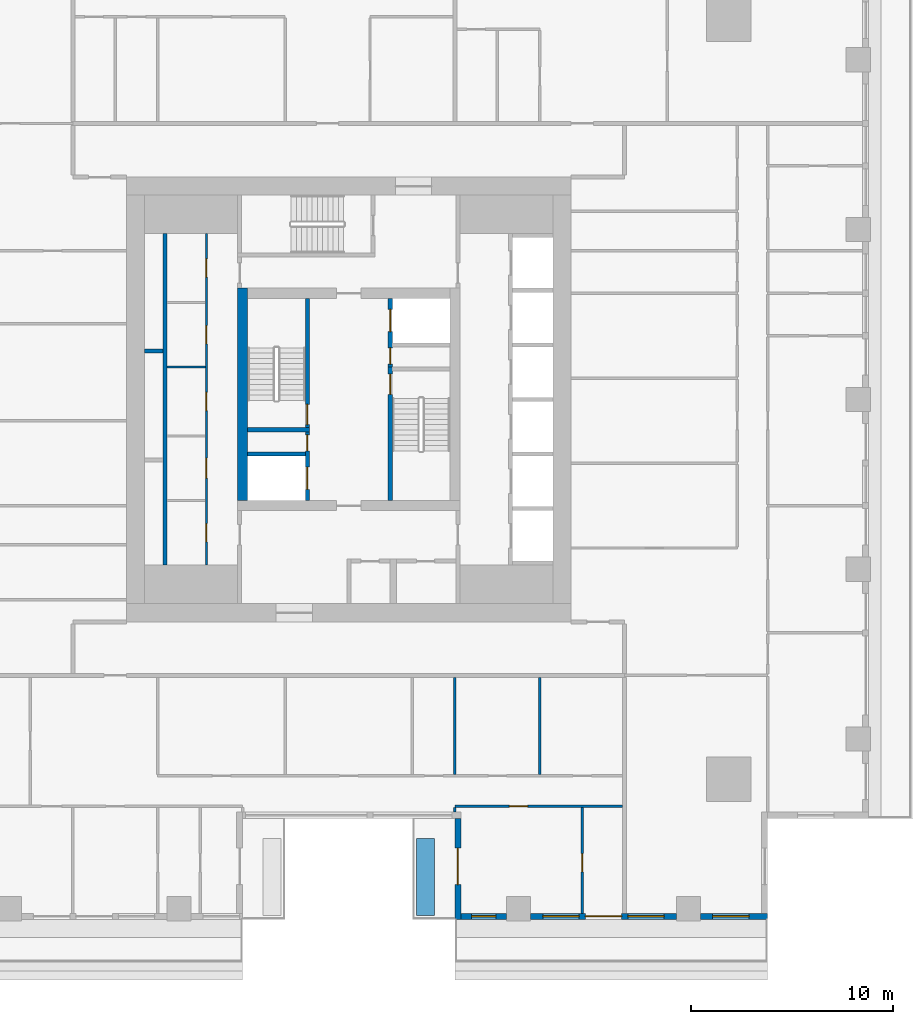
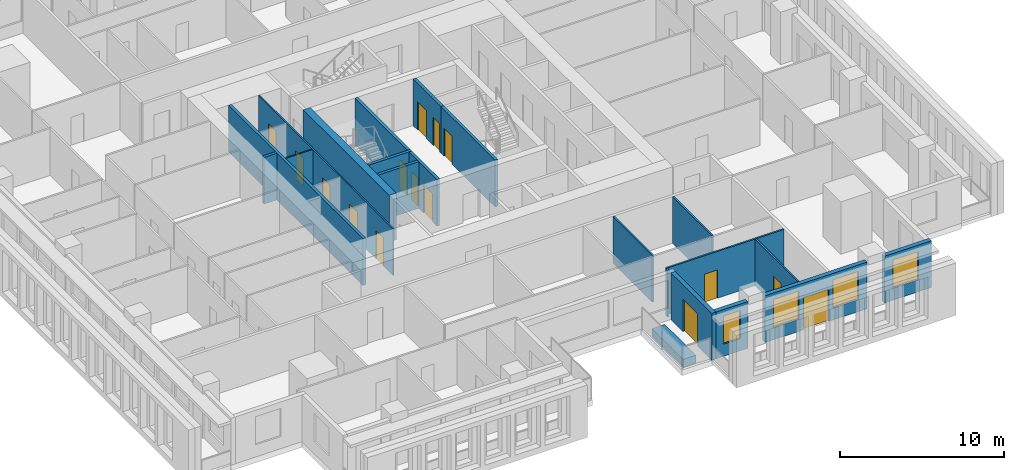
# One storey, part 4 of 15: 21 walls, 15 doors, 4 windows, 19 openings.
"""IFC4 building model written with IfcOpenShell, lengths in metres."""

import ifcopenshell
import ifcopenshell.guid

model = None  # the IFC model being written
_history = None  # IfcOwnerHistory: only IFC2X3 demands one
_inside = {}  # id of a spatial element -> (the spatial element, [elements in it])
_under = {}  # id of a project, library or spatial element -> (it, [spatial elements below it])
_declared = {}  # id of a project -> (the project, [libraries it declares])
_typed = {}  # id of a type object -> (the type object, [elements of that type])
_made_of = {}  # id of a material, layer set ... -> (it, [elements and type objects made of it])


def new_model(schema):
    """Start an empty IFC model of exactly this schema.

    Asked for "IFC4X3", IfcOpenShell would pick the latest addendum, in which some entities
    have other attributes; the version numbers below select the first issue.
    IFC2X3 requires an IfcOwnerHistory on every rooted entity: one is made here for all.
    """
    global model, _history
    if schema == "IFC4X3":
        model = ifcopenshell.file(schema_version=(4, 3, 0, 0))
    else:
        model = ifcopenshell.file(schema=schema)
    _inside.clear()
    _under.clear()
    _declared.clear()
    _typed.clear()
    _made_of.clear()
    _history = None
    if model.schema == "IFC2X3":
        org = make("IfcOrganization", Name="unknown")
        user = make(
            "IfcPersonAndOrganization",
            ThePerson=make("IfcPerson", FamilyName="unknown"),
            TheOrganization=org,
        )
        app = make(
            "IfcApplication",
            ApplicationDeveloper=org,
            Version="unknown",
            ApplicationFullName="unknown",
            ApplicationIdentifier="unknown",
        )
        _history = make(
            "IfcOwnerHistory",
            OwningUser=user,
            OwningApplication=app,
            ChangeAction="ADDED",
            CreationDate=0,
        )
    return model


def make(cls, **values):
    """One entity of the class cls with the attributes given. An attribute that is None is left unset."""
    return model.create_entity(
        cls, **{name: value for name, value in values.items() if value is not None}
    )


def rooted(cls, **values):
    """An entity with a GlobalId (a new one), such as an element, a storey or a relation."""
    return make(cls, GlobalId=ifcopenshell.guid.new(), OwnerHistory=_history, **values)


def si_unit(unit_type, name, prefix=None):
    """IfcSIUnit, for example si_unit("LENGTHUNIT", "METRE", prefix="MILLI")."""
    return make("IfcSIUnit", UnitType=unit_type, Prefix=prefix, Name=name)


def assignment(units):
    """IfcUnitAssignment: the units of a project."""
    return None if units is None else make("IfcUnitAssignment", Units=units)


def point(xyz):
    """IfcCartesianPoint."""
    return None if xyz is None else make("IfcCartesianPoint", Coordinates=xyz)


def direction(xyz):
    """IfcDirection."""
    return None if xyz is None else make("IfcDirection", DirectionRatios=xyz)


def frame(location, z_axis=None, x_axis=None):
    """IfcAxis2Placement3D, a coordinate frame: its origin and axes. An axis left out is left unset."""
    return make(
        "IfcAxis2Placement3D",
        Location=point(location),
        Axis=direction(z_axis),
        RefDirection=direction(x_axis),
    )


def frame_2d(location, x_axis=None):
    """IfcAxis2Placement2D, a coordinate frame in the plane: its origin and x axis."""
    return make(
        "IfcAxis2Placement2D", Location=point(location), RefDirection=direction(x_axis)
    )


def origin():
    """The frame at (0, 0, 0) with its axes left unset."""
    return frame((0.0, 0.0, 0.0))


def place(relative_to, where):
    """IfcLocalPlacement: puts the frame where relative to a parent placement (None: the world)."""
    return make(
        "IfcLocalPlacement", PlacementRelTo=relative_to, RelativePlacement=where
    )


def context(
    kind, dimensions, precision=None, world=None, true_north=None, identifier=None
):
    """IfcGeometricRepresentationContext, for example the 3D "Model" context."""
    return make(
        "IfcGeometricRepresentationContext",
        ContextIdentifier=identifier,
        ContextType=kind,
        CoordinateSpaceDimension=dimensions,
        Precision=precision,
        WorldCoordinateSystem=world,
        TrueNorth=true_north,
    )


def subcontext(parent, identifier, kind, view, scale=None):
    """IfcGeometricRepresentationSubContext, for example "Body" below "Model"."""
    return make(
        "IfcGeometricRepresentationSubContext",
        ContextIdentifier=identifier,
        ContextType=kind,
        ParentContext=parent,
        TargetScale=scale,
        TargetView=view,
    )


def project(units=None, contexts=None):
    """IfcProject with its units and contexts."""
    return rooted(
        "IfcProject",
        Name="project",
        RepresentationContexts=contexts,
        UnitsInContext=assignment(units),
    )


def spatial(cls, under=None, at=None, **own):
    """A site, building, storey or space (cls), placed at a placement, below another one or the project."""
    s = rooted(cls, ObjectPlacement=at, **own)
    if under is not None:
        _under.setdefault(under.id(), (under, []))[1].append(s)
    return s


def profile(cls, at=None, kind="AREA", **sizes):
    """A parametric profile (cls). Its sizes go by their IFC names, for example OverallWidth=200.0."""
    return make(cls, ProfileType=kind, Position=at, **sizes)


def rectangle(**sizes):
    """IfcRectangleProfileDef."""
    return profile("IfcRectangleProfileDef", **sizes)


def extrude(swept, where, along, depth):
    """IfcExtrudedAreaSolid: the profile swept, set in the frame where, extruded along a direction by depth."""
    return make(
        "IfcExtrudedAreaSolid",
        SweptArea=swept,
        Position=where,
        ExtrudedDirection=direction(along),
        Depth=depth,
    )


def shape(context_of_items, identifier, shape_type, items):
    """IfcShapeRepresentation: the items that make up one representation, for example the "Body"."""
    return make(
        "IfcShapeRepresentation",
        ContextOfItems=context_of_items,
        RepresentationIdentifier=identifier,
        RepresentationType=shape_type,
        Items=items,
    )


def material(Name=None, Category=None):
    """IfcMaterial."""
    return make("IfcMaterial", Name=Name, Category=Category)


def layer(
    of_material, thickness, ventilated=None, Name=None, Category=None, Priority=None
):
    """IfcMaterialLayer: one layer of a wall or slab, of a material (None: an air gap)."""
    return make(
        "IfcMaterialLayer",
        Material=of_material,
        LayerThickness=thickness,
        IsVentilated=ventilated,
        Name=Name,
        Category=Category,
        Priority=Priority,
    )


def layer_set(layers, Name=None):
    """IfcMaterialLayerSet."""
    return make("IfcMaterialLayerSet", MaterialLayers=layers, LayerSetName=Name)


def made_of(thing, what):
    """Note that an element or type object is made of a material, layer set ...; save() writes the relation."""
    if what is not None:
        _made_of.setdefault(what.id(), (what, []))[1].append(thing)
    return thing


def type_object(cls, material=None, **own):
    """A type object (cls), such as IfcWallType, which elements share."""
    return made_of(rooted(cls, **own), material)


def element(
    cls,
    number,
    at=None,
    inside=None,
    cuts=None,
    type_object=None,
    material=None,
    context=None,
    identifier="Body",
    shape_type=None,
    held_by="IfcProductDefinitionShape",
    body=None,
    shapes=None,
    **own,
):
    """One element of the class cls, such as IfcWall. Its Tag is "e" and its number.

    at: its placement. inside: the storey or other place that contains it. cuts: it is an
    opening in that element (IfcRelVoidsElement). A single representation is given by context,
    identifier, shape_type and body (its items); several are given by shapes. held_by: the class
    of the entity that holds the representations. save() writes the other relations.
    """
    e = rooted(cls, Tag="e%d" % number, ObjectPlacement=at, **own)
    if body is not None:
        shapes = [shape(context, identifier, shape_type, body)]
    if shapes is not None:
        e.Representation = make(held_by, Representations=shapes)
    if inside is not None:
        _inside.setdefault(inside.id(), (inside, []))[1].append(e)
    if cuts is not None:
        rooted(
            "IfcRelVoidsElement", RelatingBuildingElement=cuts, RelatedOpeningElement=e
        )
    if type_object is not None:
        _typed.setdefault(type_object.id(), (type_object, []))[1].append(e)
    return made_of(e, material)


def fill(opening, filler):
    """IfcRelFillsElement: the door or window that sits in an opening."""
    return rooted(
        "IfcRelFillsElement",
        RelatingOpeningElement=opening,
        RelatedBuildingElement=filler,
    )


def aggregate(whole, parts):
    """IfcRelAggregates: a whole, such as a stair, and the parts it consists of."""
    return rooted("IfcRelAggregates", RelatingObject=whole, RelatedObjects=parts)


def save(model, path):
    """Write the relations noted so far, then the file.

    IfcRelAggregates (storeys below a building ...), IfcRelContainedInSpatialStructure (elements
    in a storey), IfcRelDefinesByType, IfcRelAssociatesMaterial and IfcRelDeclares: one each for
    every whole, place, type object, material and project.
    """
    for whole, parts in _under.values():
        aggregate(whole, parts)
    for where, things in _inside.values():
        rooted(
            "IfcRelContainedInSpatialStructure",
            RelatedElements=things,
            RelatingStructure=where,
        )
    for kind, things in _typed.values():
        rooted("IfcRelDefinesByType", RelatedObjects=things, RelatingType=kind)
    for what, things in _made_of.values():
        rooted("IfcRelAssociatesMaterial", RelatedObjects=things, RelatingMaterial=what)
    for by, libraries in _declared.values():
        rooted("IfcRelDeclares", RelatingContext=by, RelatedDefinitions=libraries)
    model.write(path)


model = new_model("IFC4")

# Units and contexts
model_context = context("Model", 3, precision=1e-05, world=origin(), true_north=direction((0.0, 1.0)))
body_context = subcontext(model_context, "Body", "Model", "MODEL_VIEW")
ifc_project = project(units=[si_unit("LENGTHUNIT", "METRE"), si_unit("AREAUNIT", "SQUARE_METRE"), si_unit("VOLUMEUNIT", "CUBIC_METRE"), si_unit("PLANEANGLEUNIT", "RADIAN"), si_unit("MASSUNIT", "GRAM", prefix="KILO")], contexts=[model_context])

# Site, building, storey
site_placement = place(None, origin())
site = spatial("IfcSite", under=ifc_project, at=site_placement, CompositionType="ELEMENT")
building_placement = place(site_placement, origin())
building = spatial("IfcBuilding", under=site, at=building_placement, Name="Khepri Terraces", CompositionType="ELEMENT")
storey_placement = place(building_placement, frame((0.0, 0.0, 248.39990234375)))
storey = spatial("IfcBuildingStorey", under=building, at=storey_placement, Name="L59", CompositionType="ELEMENT", Elevation=248.39990234375)

# Wall, opening, door
ifc_material_1 = material(Name="Concrete C40/50", Category="concrete")
ifc_layer_1 = layer(ifc_material_1, 0.199951171875, Name="Concrete C40/50", Category="concrete")
ifc_layer_set_1 = layer_set([ifc_layer_1], Name="Concrete C40/50")
wall_type_1 = type_object("IfcWallType", Name="Core wall 200 C40/50", PredefinedType="SHEAR", material=ifc_layer_set_1)
wall_1_placement = place(storey_placement, frame((2.050048828125, -5.0, 0.0), z_axis=(0.0, 0.0, 1.0), x_axis=(0.0, 1.0, 0.0)))
wall_1 = element("IfcWall", 1, at=wall_1_placement, inside=storey, type_object=wall_type_1, Name="Core wall ST01 L59", PredefinedType="SHEAR", context=body_context, shape_type="SweptSolid", body=[
    extrude(rectangle(XDim=6.60009765625, YDim=0.199951171875, at=frame_2d((3.300048828125, 0.0))), origin(), (0.0, 0.0, 1.0), 3.47998046875),
])
opening_1_placement = place(wall_1_placement, frame((5.25, 0.0, 0.0)))
opening_1 = element("IfcOpeningElement", 2, at=opening_1_placement, cuts=wall_1, Name="Opening L59-C10", PredefinedType="OPENING", context=body_context, shape_type="SweptSolid", body=[
    extrude(rectangle(XDim=1.0, YDim=2.10009765625, at=frame_2d((0.5, 1.050048828125))), frame((0.0, 0.10986328125, 0.0), z_axis=(0.0, -1.0, 0.0), x_axis=(1.0, 0.0, 0.0)), (0.0, 0.0, 1.0), 0.219970703125),
])
ifc_material_2 = material(Name="Painted steel", Category="steel")
door_type_1 = type_object("IfcDoorType", Name="DR-CORE-STAIR-1000", OperationType="NOTDEFINED", PredefinedType="DOOR", material=ifc_material_2)
door_1_placement = place(opening_1_placement, frame((1.0, 0.0, 0.0), z_axis=(0.0, 0.0, 1.0), x_axis=(-1.0, 0.0, 0.0)))
door_1 = element("IfcDoor", 3, at=door_1_placement, inside=storey, type_object=door_type_1, Name="Stair door L59-C10", OperationType="SINGLE_SWING_LEFT", OverallHeight=2.10009765625, OverallWidth=1.0, PredefinedType="DOOR", context=body_context, shape_type="SweptSolid", body=[
    extrude(rectangle(XDim=1.0, YDim=2.10009765625, at=frame_2d((0.5, 1.050048828125))), frame((0.0, 0.02490234375, 0.0), z_axis=(0.0, -1.0, 0.0), x_axis=(1.0, 0.0, 0.0)), (0.0, 0.0, 1.0), 0.050048828125),
])
fill(opening_1, door_1)

# Wall
wall_2_placement = place(storey_placement, frame((-5.0, -1.5, 0.0), z_axis=(0.0, 0.0, 1.0), x_axis=(1.0, 0.0, 0.0)))
element("IfcWall", 4, at=wall_2_placement, inside=storey, type_object=wall_type_1, Name="Core wall ST02 L59", PredefinedType="SHEAR", context=body_context, shape_type="SweptSolid", body=[
    extrude(rectangle(XDim=3.050048828125, YDim=0.199951171875, at=frame_2d((1.52490234375, 0.0))), origin(), (0.0, 0.0, 1.0), 3.47998046875),
])

# Wall, opening, door
wall_3_placement = place(storey_placement, frame((-2.050048828125, -1.39990234375, 0.0), z_axis=(0.0, 0.0, 1.0), x_axis=(0.0, 1.0, 0.0)))
wall_3 = element("IfcWall", 5, at=wall_3_placement, inside=storey, type_object=wall_type_1, Name="Core wall ST03 L59", PredefinedType="SHEAR", context=body_context, shape_type="SweptSolid", body=[
    extrude(rectangle(XDim=6.39990234375, YDim=0.199951171875, at=frame_2d((3.199951171875, 0.0))), origin(), (0.0, 0.0, 1.0), 3.47998046875),
])
opening_2_placement = place(wall_3_placement, frame((0.14990234375, 0.0, 0.0)))
opening_2 = element("IfcOpeningElement", 6, at=opening_2_placement, cuts=wall_3, Name="Opening L59-C09", PredefinedType="OPENING", context=body_context, shape_type="SweptSolid", body=[
    extrude(rectangle(XDim=1.0, YDim=2.10009765625, at=frame_2d((0.5, 1.050048828125))), frame((0.0, 0.10986328125, 0.0), z_axis=(0.0, -1.0, 0.0), x_axis=(1.0, 0.0, 0.0)), (0.0, 0.0, 1.0), 0.219970703125),
])
door_2_placement = place(opening_2_placement, origin())
door_2 = element("IfcDoor", 7, at=door_2_placement, inside=storey, type_object=door_type_1, Name="Stair door L59-C09", OperationType="SINGLE_SWING_LEFT", OverallHeight=2.10009765625, OverallWidth=1.0, PredefinedType="DOOR", context=body_context, shape_type="SweptSolid", body=[
    extrude(rectangle(XDim=1.0, YDim=2.10009765625, at=frame_2d((0.5, 1.050048828125))), frame((0.0, 0.02490234375, 0.0), z_axis=(0.0, -1.0, 0.0), x_axis=(1.0, 0.0, 0.0)), (0.0, 0.0, 1.0), 0.050048828125),
])
fill(opening_2, door_2)

# Wall
wall_4_placement = place(storey_placement, frame((-9.10009765625, -8.199951171875, 0.0), z_axis=(0.0, 0.0, 1.0), x_axis=(0.0, 1.0, 0.0)))
element("IfcWall", 8, at=wall_4_placement, inside=storey, type_object=wall_type_1, Name="Core wall SH01 L59", PredefinedType="SHEAR", context=body_context, shape_type="SweptSolid", body=[
    extrude(rectangle(XDim=16.39990234375, YDim=0.199951171875, at=frame_2d((8.199951171875, 0.0))), origin(), (0.0, 0.0, 1.0), 3.47998046875),
])

# Wall, openings, doors
wall_5_placement = place(storey_placement, frame((-2.050048828125, -5.0, 0.0), z_axis=(0.0, 0.0, 1.0), x_axis=(0.0, 1.0, 0.0)))
wall_5 = element("IfcWall", 9, at=wall_5_placement, inside=storey, type_object=wall_type_1, Name="Core wall SH05 L59", PredefinedType="SHEAR", context=body_context, shape_type="SweptSolid", body=[
    extrude(rectangle(XDim=3.39990234375, YDim=0.199951171875, at=frame_2d((1.699951171875, 0.0))), origin(), (0.0, 0.0, 1.0), 3.47998046875),
])
opening_3_placement = place(wall_5_placement, frame((0.550048828125, 0.0, 0.0)))
opening_3 = element("IfcOpeningElement", 10, at=opening_3_placement, cuts=wall_5, Name="Opening L59-C08", PredefinedType="OPENING", context=body_context, shape_type="SweptSolid", body=[
    extrude(rectangle(XDim=1.10009765625, YDim=2.10009765625, at=frame_2d((0.550048828125, 1.050048828125))), frame((0.0, 0.10986328125, 0.0), z_axis=(0.0, -1.0, 0.0), x_axis=(1.0, 0.0, 0.0)), (0.0, 0.0, 1.0), 0.219970703125),
])
opening_4_placement = place(wall_5_placement, frame((2.449951171875, 0.0, 0.0)))
opening_4 = element("IfcOpeningElement", 11, at=opening_4_placement, cuts=wall_5, Name="Opening L59-C12", PredefinedType="OPENING", context=body_context, shape_type="SweptSolid", body=[
    extrude(rectangle(XDim=0.800048828125, YDim=2.10009765625, at=frame_2d((0.39990234375, 1.050048828125))), frame((0.0, 0.10986328125, 0.0), z_axis=(0.0, -1.0, 0.0), x_axis=(1.0, 0.0, 0.0)), (0.0, 0.0, 1.0), 0.219970703125),
])
ifc_material_3 = material(Name="Stainless steel 304", Category="steel")
door_type_2 = type_object("IfcDoorType", Name="DR-CORE-FF-LANDING-1100", OperationType="NOTDEFINED", PredefinedType="DOOR", material=ifc_material_3)
door_3_placement = place(opening_3_placement, origin())
door_3 = element("IfcDoor", 12, at=door_3_placement, inside=storey, type_object=door_type_2, Name="Firefighting lift landing door L59-C08", OperationType="SLIDING_TO_LEFT", OverallHeight=2.10009765625, OverallWidth=1.10009765625, PredefinedType="DOOR", context=body_context, shape_type="SweptSolid", body=[
    extrude(rectangle(XDim=1.10009765625, YDim=2.10009765625, at=frame_2d((0.550048828125, 1.050048828125))), frame((0.0, 0.02490234375, 0.0), z_axis=(0.0, -1.0, 0.0), x_axis=(1.0, 0.0, 0.0)), (0.0, 0.0, 1.0), 0.050048828125),
])
fill(opening_3, door_3)
door_type_3 = type_object("IfcDoorType", Name="DR-CORE-RISER-800", OperationType="NOTDEFINED", PredefinedType="DOOR", material=ifc_material_2)
door_4_placement = place(opening_4_placement, origin())
door_4 = element("IfcDoor", 13, at=door_4_placement, inside=storey, type_object=door_type_3, Name="Riser door L59-C12", OperationType="SINGLE_SWING_RIGHT", OverallHeight=2.10009765625, OverallWidth=0.800048828125, PredefinedType="DOOR", context=body_context, shape_type="SweptSolid", body=[
    extrude(rectangle(XDim=0.800048828125, YDim=2.10009765625, at=frame_2d((0.39990234375, 1.050048828125))), frame((0.0, 0.02490234375, 0.0), z_axis=(0.0, -1.0, 0.0), x_axis=(1.0, 0.0, 0.0)), (0.0, 0.0, 1.0), 0.050048828125),
])
fill(opening_4, door_4)

# Wall
wall_6_placement = place(storey_placement, frame((-5.0, -2.699951171875, 0.0), z_axis=(0.0, 0.0, 1.0), x_axis=(1.0, 0.0, 0.0)))
element("IfcWall", 14, at=wall_6_placement, inside=storey, type_object=wall_type_1, Name="Core wall SH07 L59", PredefinedType="SHEAR", context=body_context, shape_type="SweptSolid", body=[
    extrude(rectangle(XDim=2.85009765625, YDim=0.199951171875, at=frame_2d((1.425048828125, 0.0))), origin(), (0.0, 0.0, 1.0), 3.47998046875),
])

# Wall, openings, doors
wall_7_placement = place(storey_placement, frame((2.050048828125, 1.60009765625, 0.0), z_axis=(0.0, 0.0, 1.0), x_axis=(0.0, 1.0, 0.0)))
wall_7 = element("IfcWall", 15, at=wall_7_placement, inside=storey, type_object=wall_type_1, Name="Core wall SH10 L59", PredefinedType="SHEAR", context=body_context, shape_type="SweptSolid", body=[
    extrude(rectangle(XDim=3.39990234375, YDim=0.199951171875, at=frame_2d((1.699951171875, 0.0))), origin(), (0.0, 0.0, 1.0), 3.47998046875),
])
opening_5_placement = place(wall_7_placement, frame((1.75, 0.0, 0.0)))
opening_5 = element("IfcOpeningElement", 16, at=opening_5_placement, cuts=wall_7, Name="Opening L59-C07", PredefinedType="OPENING", context=body_context, shape_type="SweptSolid", body=[
    extrude(rectangle(XDim=1.10009765625, YDim=2.10009765625, at=frame_2d((0.550048828125, 1.050048828125))), frame((0.0, 0.10986328125, 0.0), z_axis=(0.0, -1.0, 0.0), x_axis=(1.0, 0.0, 0.0)), (0.0, 0.0, 1.0), 0.219970703125),
])
opening_6_placement = place(wall_7_placement, frame((0.14990234375, 0.0, 0.0)))
opening_6 = element("IfcOpeningElement", 17, at=opening_6_placement, cuts=wall_7, Name="Opening L59-C11", PredefinedType="OPENING", context=body_context, shape_type="SweptSolid", body=[
    extrude(rectangle(XDim=0.800048828125, YDim=2.10009765625, at=frame_2d((0.39990234375, 1.050048828125))), frame((0.0, 0.10986328125, 0.0), z_axis=(0.0, -1.0, 0.0), x_axis=(1.0, 0.0, 0.0)), (0.0, 0.0, 1.0), 0.219970703125),
])
door_5_placement = place(opening_5_placement, origin())
door_5 = element("IfcDoor", 18, at=door_5_placement, inside=storey, type_object=door_type_2, Name="Firefighting lift landing door L59-C07", OperationType="SLIDING_TO_LEFT", OverallHeight=2.10009765625, OverallWidth=1.10009765625, PredefinedType="DOOR", context=body_context, shape_type="SweptSolid", body=[
    extrude(rectangle(XDim=1.10009765625, YDim=2.10009765625, at=frame_2d((0.550048828125, 1.050048828125))), frame((0.0, 0.02490234375, 0.0), z_axis=(0.0, -1.0, 0.0), x_axis=(1.0, 0.0, 0.0)), (0.0, 0.0, 1.0), 0.050048828125),
])
fill(opening_5, door_5)
door_6_placement = place(opening_6_placement, frame((0.800048828125, 0.0, 0.0), z_axis=(0.0, 0.0, 1.0), x_axis=(-1.0, 0.0, 0.0)))
door_6 = element("IfcDoor", 19, at=door_6_placement, inside=storey, type_object=door_type_3, Name="Riser door L59-C11", OperationType="SINGLE_SWING_RIGHT", OverallHeight=2.10009765625, OverallWidth=0.800048828125, PredefinedType="DOOR", context=body_context, shape_type="SweptSolid", body=[
    extrude(rectangle(XDim=0.800048828125, YDim=2.10009765625, at=frame_2d((0.39990234375, 1.050048828125))), frame((0.0, 0.02490234375, 0.0), z_axis=(0.0, -1.0, 0.0), x_axis=(1.0, 0.0, 0.0)), (0.0, 0.0, 1.0), 0.050048828125),
])
fill(opening_6, door_6)

# Walls
wall_8_placement = place(storey_placement, frame((-10.10009765625, 2.39990234375, 0.0), z_axis=(0.0, 0.0, 1.0), x_axis=(1.0, 0.0, 0.0)))
element("IfcWall", 20, at=wall_8_placement, inside=storey, type_object=wall_type_1, Name="Core wall SH11 L59", PredefinedType="SHEAR", context=body_context, shape_type="SweptSolid", body=[
    extrude(rectangle(XDim=0.900146484375, YDim=0.199951171875, at=frame_2d((0.4501953125, 0.0))), origin(), (0.0, 0.0, 1.0), 3.47998046875),
])
ifc_layer_2 = layer(ifc_material_1, 0.5, Name="Concrete C40/50", Category="concrete")
ifc_layer_set_2 = layer_set([ifc_layer_2], Name="Concrete C40/50")
wall_type_2 = type_object("IfcWallType", Name="Core wall 500 C40/50", PredefinedType="SHEAR", material=ifc_layer_set_2)
wall_9_placement = place(storey_placement, frame((-5.25, -5.0, 0.0), z_axis=(0.0, 0.0, 1.0), x_axis=(0.0, 1.0, 0.0)))
element("IfcWall", 21, at=wall_9_placement, inside=storey, type_object=wall_type_2, Name="Core wall BX02 L59", PredefinedType="SHEAR", context=body_context, shape_type="SweptSolid", body=[
    extrude(rectangle(XDim=10.5, YDim=0.5, at=frame_2d((5.25, 0.0))), origin(), (0.0, 0.0, 1.0), 3.47998046875),
])

# Wall, openings, doors
ifc_material_4 = material(Name="Fire-rated gypsum board partition")
ifc_layer_3 = layer(ifc_material_4, 0.10009765625, Name="Fire-rated gypsum board partition")
ifc_layer_set_3 = layer_set([ifc_layer_3], Name="Fire-rated gypsum board partition")
wall_type_3 = type_object("IfcWallType", Name="WL-CORE-PART-100", PredefinedType="PARTITIONING", material=ifc_layer_set_3)
wall_10_placement = place(storey_placement, frame((-7.050048828125, -8.199951171875, 0.0), z_axis=(0.0, 0.0, 1.0), x_axis=(0.0, 1.0, 0.0)))
wall_10 = element("IfcWall", 22, at=wall_10_placement, inside=storey, type_object=wall_type_3, Name="Core partition PT05 L59", PredefinedType="PARTITIONING", context=body_context, shape_type="SweptSolid", body=[
    extrude(rectangle(XDim=16.39990234375, YDim=0.10009765625, at=frame_2d((8.199951171875, 0.0))), origin(), (0.0, 0.0, 1.0), 3.47998046875),
])
opening_7_placement = place(wall_10_placement, frame((1.14990234375, 0.0, 0.0)))
opening_7 = element("IfcOpeningElement", 23, at=opening_7_placement, cuts=wall_10, Name="Opening L59-C24", PredefinedType="OPENING", context=body_context, shape_type="SweptSolid", body=[
    extrude(rectangle(XDim=0.89990234375, YDim=2.10009765625, at=frame_2d((0.449951171875, 1.050048828125))), frame((0.0, 0.06005859375, 0.0), z_axis=(0.0, -1.0, 0.0), x_axis=(1.0, 0.0, 0.0)), (0.0, 0.0, 1.0), 0.1201171875),
])
opening_8_placement = place(wall_10_placement, frame((4.300048828125, 0.0, 0.0)))
opening_8 = element("IfcOpeningElement", 24, at=opening_8_placement, cuts=wall_10, Name="Opening L59-C25", PredefinedType="OPENING", context=body_context, shape_type="SweptSolid", body=[
    extrude(rectangle(XDim=1.0, YDim=2.10009765625, at=frame_2d((0.5, 1.050048828125))), frame((0.0, 0.06005859375, 0.0), z_axis=(0.0, -1.0, 0.0), x_axis=(1.0, 0.0, 0.0)), (0.0, 0.0, 1.0), 0.1201171875),
])
opening_9_placement = place(wall_10_placement, frame((7.64990234375, 0.0, 0.0)))
opening_9 = element("IfcOpeningElement", 25, at=opening_9_placement, cuts=wall_10, Name="Opening L59-C26", PredefinedType="OPENING", context=body_context, shape_type="SweptSolid", body=[
    extrude(rectangle(XDim=0.89990234375, YDim=2.10009765625, at=frame_2d((0.449951171875, 1.050048828125))), frame((0.0, 0.06005859375, 0.0), z_axis=(0.0, -1.0, 0.0), x_axis=(1.0, 0.0, 0.0)), (0.0, 0.0, 1.0), 0.1201171875),
])
opening_10_placement = place(wall_10_placement, frame((10.949951171875, 0.0, 0.0)))
opening_10 = element("IfcOpeningElement", 26, at=opening_10_placement, cuts=wall_10, Name="Opening L59-C27", PredefinedType="OPENING", context=body_context, shape_type="SweptSolid", body=[
    extrude(rectangle(XDim=0.89990234375, YDim=2.10009765625, at=frame_2d((0.449951171875, 1.050048828125))), frame((0.0, 0.06005859375, 0.0), z_axis=(0.0, -1.0, 0.0), x_axis=(1.0, 0.0, 0.0)), (0.0, 0.0, 1.0), 0.1201171875),
])
opening_11_placement = place(wall_10_placement, frame((14.25, 0.0, 0.0)))
opening_11 = element("IfcOpeningElement", 27, at=opening_11_placement, cuts=wall_10, Name="Opening L59-C28", PredefinedType="OPENING", context=body_context, shape_type="SweptSolid", body=[
    extrude(rectangle(XDim=0.89990234375, YDim=2.10009765625, at=frame_2d((0.449951171875, 1.050048828125))), frame((0.0, 0.06005859375, 0.0), z_axis=(0.0, -1.0, 0.0), x_axis=(1.0, 0.0, 0.0)), (0.0, 0.0, 1.0), 0.1201171875),
])
door_type_4 = type_object("IfcDoorType", Name="DR-CORE-SERVICE-900", OperationType="NOTDEFINED", PredefinedType="DOOR", material=ifc_material_2)
door_7_placement = place(opening_7_placement, origin())
door_7 = element("IfcDoor", 28, at=door_7_placement, inside=storey, type_object=door_type_4, Name="Service room door L59-C24", OperationType="SINGLE_SWING_LEFT", OverallHeight=2.10009765625, OverallWidth=0.89990234375, PredefinedType="DOOR", context=body_context, shape_type="SweptSolid", body=[
    extrude(rectangle(XDim=0.89990234375, YDim=2.10009765625, at=frame_2d((0.449951171875, 1.050048828125))), frame((0.0, 0.02490234375, 0.0), z_axis=(0.0, -1.0, 0.0), x_axis=(1.0, 0.0, 0.0)), (0.0, 0.0, 1.0), 0.050048828125),
])
fill(opening_7, door_7)
door_8_placement = place(opening_9_placement, origin())
door_8 = element("IfcDoor", 29, at=door_8_placement, inside=storey, type_object=door_type_4, Name="Service room door L59-C26", OperationType="SINGLE_SWING_LEFT", OverallHeight=2.10009765625, OverallWidth=0.89990234375, PredefinedType="DOOR", context=body_context, shape_type="SweptSolid", body=[
    extrude(rectangle(XDim=0.89990234375, YDim=2.10009765625, at=frame_2d((0.449951171875, 1.050048828125))), frame((0.0, 0.02490234375, 0.0), z_axis=(0.0, -1.0, 0.0), x_axis=(1.0, 0.0, 0.0)), (0.0, 0.0, 1.0), 0.050048828125),
])
fill(opening_9, door_8)
door_9_placement = place(opening_10_placement, origin())
door_9 = element("IfcDoor", 30, at=door_9_placement, inside=storey, type_object=door_type_4, Name="Service room door L59-C27", OperationType="SINGLE_SWING_RIGHT", OverallHeight=2.10009765625, OverallWidth=0.89990234375, PredefinedType="DOOR", context=body_context, shape_type="SweptSolid", body=[
    extrude(rectangle(XDim=0.89990234375, YDim=2.10009765625, at=frame_2d((0.449951171875, 1.050048828125))), frame((0.0, 0.02490234375, 0.0), z_axis=(0.0, -1.0, 0.0), x_axis=(1.0, 0.0, 0.0)), (0.0, 0.0, 1.0), 0.050048828125),
])
fill(opening_10, door_9)
door_10_placement = place(opening_11_placement, origin())
door_10 = element("IfcDoor", 31, at=door_10_placement, inside=storey, type_object=door_type_4, Name="Service room door L59-C28", OperationType="SINGLE_SWING_RIGHT", OverallHeight=2.10009765625, OverallWidth=0.89990234375, PredefinedType="DOOR", context=body_context, shape_type="SweptSolid", body=[
    extrude(rectangle(XDim=0.89990234375, YDim=2.10009765625, at=frame_2d((0.449951171875, 1.050048828125))), frame((0.0, 0.02490234375, 0.0), z_axis=(0.0, -1.0, 0.0), x_axis=(1.0, 0.0, 0.0)), (0.0, 0.0, 1.0), 0.050048828125),
])
fill(opening_11, door_10)
ifc_material_5 = material(Name="Timber veneer", Category="wood")
door_type_5 = type_object("IfcDoorType", Name="DR-CORE-WC-1000", OperationType="NOTDEFINED", PredefinedType="DOOR", material=ifc_material_5)
door_11_placement = place(opening_8_placement, origin())
door_11 = element("IfcDoor", 32, at=door_11_placement, inside=storey, type_object=door_type_5, Name="WC door L59-C25", OperationType="SINGLE_SWING_LEFT", OverallHeight=2.10009765625, OverallWidth=1.0, PredefinedType="DOOR", context=body_context, shape_type="SweptSolid", body=[
    extrude(rectangle(XDim=1.0, YDim=2.10009765625, at=frame_2d((0.5, 1.050048828125))), frame((0.0, 0.02490234375, 0.0), z_axis=(0.0, -1.0, 0.0), x_axis=(1.0, 0.0, 0.0)), (0.0, 0.0, 1.0), 0.050048828125),
])
fill(opening_8, door_11)

# Wall
wall_11_placement = place(storey_placement, frame((-9.0, 1.60009765625, 0.0), z_axis=(0.0, 0.0, 1.0), x_axis=(1.0, 0.0, 0.0)))
element("IfcWall", 33, at=wall_11_placement, inside=storey, type_object=wall_type_3, Name="Core partition PT10 L59", PredefinedType="PARTITIONING", context=body_context, shape_type="SweptSolid", body=[
    extrude(rectangle(XDim=1.89990234375, YDim=0.10009765625, at=frame_2d((0.949951171875, 0.0))), origin(), (0.0, 0.0, 1.0), 3.47998046875),
])

# Wall, opening, door
ifc_material_6 = material(Name="Precast concrete C50/60 warm stone", Category="masonry")
ifc_layer_4 = layer(ifc_material_6, 0.300048828125, Name="Precast concrete C50/60 warm stone", Category="masonry")
ifc_layer_set_4 = layer_set([ifc_layer_4], Name="Precast concrete C50/60 warm stone")
wall_type_4 = type_object("IfcWallType", Name="WL-EXT-PRECAST-300", PredefinedType="STANDARD", material=ifc_layer_set_4)
wall_12_placement = place(storey_placement, frame((5.39990234375, -20.719970703125, 0.0), z_axis=(0.0, 0.0, 1.0), x_axis=(0.0, -1.0, 0.0)))
wall_12 = element("IfcWall", 34, at=wall_12_placement, inside=storey, type_object=wall_type_4, Name="External wall L59 W", PredefinedType="STANDARD", context=body_context, shape_type="SweptSolid", body=[
    extrude(rectangle(XDim=5.0, YDim=0.300048828125, at=frame_2d((2.5, 0.0))), origin(), (0.0, 0.0, 1.0), 3.47998046875),
])
opening_12_placement = place(wall_12_placement, frame((1.47998046875, 0.0, 0.0)))
opening_12 = element("IfcOpeningElement", 35, at=opening_12_placement, cuts=wall_12, Name="Opening ED-L59-20", PredefinedType="OPENING", context=body_context, shape_type="SweptSolid", body=[
    extrude(rectangle(XDim=1.800048828125, YDim=2.39990234375, at=frame_2d((0.89990234375, 1.199951171875))), frame((0.0, 0.16015625, 0.0), z_axis=(0.0, -1.0, 0.0), x_axis=(1.0, 0.0, 0.0)), (0.0, 0.0, 1.0), 0.320068359375),
])
ifc_material_7 = material(Name="Anodised aluminium bronze glazed door", Category="aluminium")
door_type_6 = type_object("IfcDoorType", Name="DR-BAL-SLIDE-1800x2400", OperationType="NOTDEFINED", PredefinedType="DOOR", material=ifc_material_7)
door_12_placement = place(opening_12_placement, origin())
door_12 = element("IfcDoor", 36, at=door_12_placement, inside=storey, type_object=door_type_6, Name="Balcony door L59 W", OperationType="SLIDING_TO_RIGHT", OverallHeight=2.39990234375, OverallWidth=1.800048828125, PredefinedType="DOOR", context=body_context, shape_type="SweptSolid", body=[
    extrude(rectangle(XDim=1.800048828125, YDim=2.39990234375, at=frame_2d((0.89990234375, 1.199951171875))), frame((0.0, 0.02490234375, 0.0), z_axis=(0.0, -1.0, 0.0), x_axis=(1.0, 0.0, 0.0)), (0.0, 0.0, 1.0), 0.050048828125),
])
fill(opening_12, door_12)

# Wall, opening, window
wall_13_placement = place(storey_placement, frame((5.550048828125, -25.570068359375, 0.0), z_axis=(0.0, 0.0, 1.0), x_axis=(1.0, 0.0, 0.0)))
wall_13 = element("IfcWall", 37, at=wall_13_placement, inside=storey, type_object=wall_type_4, Name="External wall L59 S", PredefinedType="STANDARD", context=body_context, shape_type="SweptSolid", body=[
    extrude(rectangle(XDim=2.25, YDim=0.300048828125, at=frame_2d((1.125, 0.0))), origin(), (0.0, 0.0, 1.0), 3.47998046875),
])
opening_13_placement = place(wall_13_placement, frame((0.52490234375, 0.0, 0.89990234375)))
opening_13 = element("IfcOpeningElement", 38, at=opening_13_placement, cuts=wall_13, Name="Opening W4", PredefinedType="OPENING", context=body_context, shape_type="SweptSolid", body=[
    extrude(rectangle(XDim=1.199951171875, YDim=2.10009765625, at=frame_2d((0.60009765625, 1.050048828125))), frame((0.0, 0.16015625, 0.0), z_axis=(0.0, -1.0, 0.0), x_axis=(1.0, 0.0, 0.0)), (0.0, 0.0, 1.0), 0.320068359375),
])
ifc_material_8 = material(Name="Clear glass", Category="glass")
window_type_1 = type_object("IfcWindowType", Name="WIN-RES-1200x2100", PartitioningType="SINGLE_PANEL", PredefinedType="WINDOW", material=ifc_material_8)
window_1_placement = place(opening_13_placement, origin())
window_1 = element("IfcWindow", 39, at=window_1_placement, inside=storey, type_object=window_type_1, Name="Window L59 S", OverallHeight=2.10009765625, OverallWidth=1.199951171875, PartitioningType="SINGLE_PANEL", PredefinedType="WINDOW", context=body_context, shape_type="SweptSolid", body=[
    extrude(rectangle(XDim=1.199951171875, YDim=2.10009765625, at=frame_2d((0.60009765625, 1.050048828125))), frame((0.0, 0.030029296875, 0.0), z_axis=(0.0, -1.0, 0.0), x_axis=(1.0, 0.0, 0.0)), (0.0, 0.0, 1.0), 0.06005859375),
])
fill(opening_13, window_1)

# Wall, openings, door, windows
wall_14_placement = place(storey_placement, frame((9.0, -25.570068359375, 0.0), z_axis=(0.0, 0.0, 1.0), x_axis=(1.0, 0.0, 0.0)))
wall_14 = element("IfcWall", 40, at=wall_14_placement, inside=storey, type_object=wall_type_4, Name="External wall L59 S", PredefinedType="STANDARD", context=body_context, shape_type="SweptSolid", body=[
    extrude(rectangle(XDim=7.199951171875, YDim=0.300048828125, at=frame_2d((3.60009765625, 0.0))), origin(), (0.0, 0.0, 1.0), 3.47998046875),
])
opening_14_placement = place(wall_14_placement, frame((0.60009765625, 0.0, 0.89990234375)))
opening_14 = element("IfcOpeningElement", 41, at=opening_14_placement, cuts=wall_14, Name="Opening W1", PredefinedType="OPENING", context=body_context, shape_type="SweptSolid", body=[
    extrude(rectangle(XDim=1.800048828125, YDim=2.10009765625, at=frame_2d((0.89990234375, 1.050048828125))), frame((0.0, 0.16015625, 0.0), z_axis=(0.0, -1.0, 0.0), x_axis=(1.0, 0.0, 0.0)), (0.0, 0.0, 1.0), 0.320068359375),
])
opening_15_placement = place(wall_14_placement, frame((2.699951171875, 0.0, 0.0)))
opening_15 = element("IfcOpeningElement", 42, at=opening_15_placement, cuts=wall_14, Name="Opening ED-L59-21", PredefinedType="OPENING", context=body_context, shape_type="SweptSolid", body=[
    extrude(rectangle(XDim=1.800048828125, YDim=2.39990234375, at=frame_2d((0.89990234375, 1.199951171875))), frame((0.0, 0.16015625, 0.0), z_axis=(0.0, -1.0, 0.0), x_axis=(1.0, 0.0, 0.0)), (0.0, 0.0, 1.0), 0.320068359375),
])
opening_16_placement = place(wall_14_placement, frame((4.800048828125, 0.0, 0.89990234375)))
opening_16 = element("IfcOpeningElement", 43, at=opening_16_placement, cuts=wall_14, Name="Opening W1", PredefinedType="OPENING", context=body_context, shape_type="SweptSolid", body=[
    extrude(rectangle(XDim=1.800048828125, YDim=2.10009765625, at=frame_2d((0.89990234375, 1.050048828125))), frame((0.0, 0.16015625, 0.0), z_axis=(0.0, -1.0, 0.0), x_axis=(1.0, 0.0, 0.0)), (0.0, 0.0, 1.0), 0.320068359375),
])
door_13_placement = place(opening_15_placement, origin())
door_13 = element("IfcDoor", 44, at=door_13_placement, inside=storey, type_object=door_type_6, Name="Balcony door L59 S", OperationType="SLIDING_TO_RIGHT", OverallHeight=2.39990234375, OverallWidth=1.800048828125, PredefinedType="DOOR", context=body_context, shape_type="SweptSolid", body=[
    extrude(rectangle(XDim=1.800048828125, YDim=2.39990234375, at=frame_2d((0.89990234375, 1.199951171875))), frame((0.0, 0.02490234375, 0.0), z_axis=(0.0, -1.0, 0.0), x_axis=(1.0, 0.0, 0.0)), (0.0, 0.0, 1.0), 0.050048828125),
])
fill(opening_15, door_13)
window_type_2 = type_object("IfcWindowType", Name="WIN-RES-1800x2100", PartitioningType="SINGLE_PANEL", PredefinedType="WINDOW", material=ifc_material_8)
window_2_placement = place(opening_14_placement, origin())
window_2 = element("IfcWindow", 45, at=window_2_placement, inside=storey, type_object=window_type_2, Name="Window L59 S", OverallHeight=2.10009765625, OverallWidth=1.800048828125, PartitioningType="SINGLE_PANEL", PredefinedType="WINDOW", context=body_context, shape_type="SweptSolid", body=[
    extrude(rectangle(XDim=1.800048828125, YDim=2.10009765625, at=frame_2d((0.89990234375, 1.050048828125))), frame((0.0, 0.030029296875, 0.0), z_axis=(0.0, -1.0, 0.0), x_axis=(1.0, 0.0, 0.0)), (0.0, 0.0, 1.0), 0.06005859375),
])
fill(opening_14, window_2)
window_3_placement = place(opening_16_placement, origin())
window_3 = element("IfcWindow", 46, at=window_3_placement, inside=storey, type_object=window_type_2, Name="Window L59 S", OverallHeight=2.10009765625, OverallWidth=1.800048828125, PartitioningType="SINGLE_PANEL", PredefinedType="WINDOW", context=body_context, shape_type="SweptSolid", body=[
    extrude(rectangle(XDim=1.800048828125, YDim=2.10009765625, at=frame_2d((0.89990234375, 1.050048828125))), frame((0.0, 0.030029296875, 0.0), z_axis=(0.0, -1.0, 0.0), x_axis=(1.0, 0.0, 0.0)), (0.0, 0.0, 1.0), 0.06005859375),
])
fill(opening_16, window_3)

# Wall, opening, window
wall_15_placement = place(storey_placement, frame((17.39990234375, -25.570068359375, 0.0), z_axis=(0.0, 0.0, 1.0), x_axis=(1.0, 0.0, 0.0)))
wall_15 = element("IfcWall", 47, at=wall_15_placement, inside=storey, type_object=wall_type_4, Name="External wall L59 S", PredefinedType="STANDARD", context=body_context, shape_type="SweptSolid", body=[
    extrude(rectangle(XDim=3.320068359375, YDim=0.300048828125, at=frame_2d((1.66015625, 0.0))), origin(), (0.0, 0.0, 1.0), 3.47998046875),
])
opening_17_placement = place(wall_15_placement, frame((0.60009765625, 0.0, 0.89990234375)))
opening_17 = element("IfcOpeningElement", 48, at=opening_17_placement, cuts=wall_15, Name="Opening W1", PredefinedType="OPENING", context=body_context, shape_type="SweptSolid", body=[
    extrude(rectangle(XDim=1.800048828125, YDim=2.10009765625, at=frame_2d((0.89990234375, 1.050048828125))), frame((0.0, 0.16015625, 0.0), z_axis=(0.0, -1.0, 0.0), x_axis=(1.0, 0.0, 0.0)), (0.0, 0.0, 1.0), 0.320068359375),
])
window_4_placement = place(opening_17_placement, origin())
window_4 = element("IfcWindow", 49, at=window_4_placement, inside=storey, type_object=window_type_2, Name="Window L59 S", OverallHeight=2.10009765625, OverallWidth=1.800048828125, PartitioningType="SINGLE_PANEL", PredefinedType="WINDOW", context=body_context, shape_type="SweptSolid", body=[
    extrude(rectangle(XDim=1.800048828125, YDim=2.10009765625, at=frame_2d((0.89990234375, 1.050048828125))), frame((0.0, 0.030029296875, 0.0), z_axis=(0.0, -1.0, 0.0), x_axis=(1.0, 0.0, 0.0)), (0.0, 0.0, 1.0), 0.06005859375),
])
fill(opening_17, window_4)

# Wall, opening, door
ifc_material_9 = material(Name="Gypsum plasterboard partition")
ifc_layer_5 = layer(ifc_material_9, 0.1201171875, Name="Gypsum plasterboard partition")
ifc_layer_set_5 = layer_set([ifc_layer_5], Name="Gypsum plasterboard partition")
wall_type_5 = type_object("IfcWallType", Name="WL-PART-120", PredefinedType="PARTITIONING", material=ifc_layer_set_5)
wall_16_placement = place(storey_placement, frame((11.550048828125, -25.419921875, 0.0), z_axis=(0.0, 0.0, 1.0), x_axis=(0.0, 1.0, 0.0)))
wall_16 = element("IfcWall", 50, at=wall_16_placement, inside=storey, type_object=wall_type_5, Name="Partition P-004 L59", PredefinedType="PARTITIONING", context=body_context, shape_type="SweptSolid", body=[
    extrude(rectangle(XDim=5.239990234375, YDim=0.1201171875, at=frame_2d((2.6201171875, 0.0))), origin(), (0.0, 0.0, 1.0), 3.47998046875),
])
opening_18_placement = place(wall_16_placement, frame((2.050048828125, 0.0, 0.0)))
opening_18 = element("IfcOpeningElement", 51, at=opening_18_placement, cuts=wall_16, Name="Opening D4", PredefinedType="OPENING", context=body_context, shape_type="SweptSolid", body=[
    extrude(rectangle(XDim=0.89990234375, YDim=2.10009765625, at=frame_2d((0.449951171875, 1.050048828125))), frame((0.0, 0.070068359375, 0.0), z_axis=(0.0, -1.0, 0.0), x_axis=(1.0, 0.0, 0.0)), (0.0, 0.0, 1.0), 0.14013671875),
])
ifc_material_10 = material(Name="Timber door leaf, moisture resistant", Category="wood")
door_type_7 = type_object("IfcDoorType", Name="DR-WET-900", OperationType="NOTDEFINED", PredefinedType="DOOR", material=ifc_material_10)
door_14_placement = place(opening_18_placement, frame((0.89990234375, 0.0, 0.0), z_axis=(0.0, 0.0, 1.0), x_axis=(-1.0, 0.0, 0.0)))
door_14 = element("IfcDoor", 52, at=door_14_placement, inside=storey, type_object=door_type_7, Name="Door Bathroom", OperationType="SINGLE_SWING_RIGHT", OverallHeight=2.10009765625, OverallWidth=0.89990234375, PredefinedType="DOOR", context=body_context, shape_type="SweptSolid", body=[
    extrude(rectangle(XDim=0.89990234375, YDim=2.10009765625, at=frame_2d((0.449951171875, 1.050048828125))), frame((0.0, 0.02490234375, 0.0), z_axis=(0.0, -1.0, 0.0), x_axis=(1.0, 0.0, 0.0)), (0.0, 0.0, 1.0), 0.050048828125),
])
fill(opening_18, door_14)

# Wall
wall_17_placement = place(storey_placement, frame((5.25, -20.419921875, 0.0), z_axis=(0.0, 0.0, 1.0), x_axis=(0.0, 1.0, 0.0)))
element("IfcWall", 53, at=wall_17_placement, inside=storey, type_object=wall_type_5, Name="Partition P-008 L59", PredefinedType="PARTITIONING", context=body_context, shape_type="SweptSolid", body=[
    extrude(rectangle(XDim=0.239990234375, YDim=0.1201171875, at=frame_2d((0.1201171875, 0.0))), origin(), (0.0, 0.0, 1.0), 3.47998046875),
])

# Wall, opening, door
wall_18_placement = place(storey_placement, frame((5.25, -20.1201171875, 0.0), z_axis=(0.0, 0.0, 1.0), x_axis=(1.0, 0.0, 0.0)))
wall_18 = element("IfcWall", 54, at=wall_18_placement, inside=storey, type_object=wall_type_5, Name="Partition P-011 L59", PredefinedType="PARTITIONING", context=body_context, shape_type="SweptSolid", body=[
    extrude(rectangle(XDim=8.300048828125, YDim=0.1201171875, at=frame_2d((4.14990234375, 0.0))), origin(), (0.0, 0.0, 1.0), 3.47998046875),
])
opening_19_placement = place(wall_18_placement, frame((2.699951171875, 0.0, 0.0)))
opening_19 = element("IfcOpeningElement", 55, at=opening_19_placement, cuts=wall_18, Name="Opening D3", PredefinedType="OPENING", context=body_context, shape_type="SweptSolid", body=[
    extrude(rectangle(XDim=0.89990234375, YDim=2.10009765625, at=frame_2d((0.449951171875, 1.050048828125))), frame((0.0, 0.070068359375, 0.0), z_axis=(0.0, -1.0, 0.0), x_axis=(1.0, 0.0, 0.0)), (0.0, 0.0, 1.0), 0.14013671875),
])
ifc_material_11 = material(Name="Timber door leaf", Category="wood")
door_type_8 = type_object("IfcDoorType", Name="DR-INT-900", OperationType="NOTDEFINED", PredefinedType="DOOR", material=ifc_material_11)
door_15_placement = place(opening_19_placement, frame((0.89990234375, 0.0, 0.0), z_axis=(0.0, 0.0, 1.0), x_axis=(-1.0, 0.0, 0.0)))
door_15 = element("IfcDoor", 56, at=door_15_placement, inside=storey, type_object=door_type_8, Name="Door Bedroom", OperationType="SINGLE_SWING_RIGHT", OverallHeight=2.10009765625, OverallWidth=0.89990234375, PredefinedType="DOOR", context=body_context, shape_type="SweptSolid", body=[
    extrude(rectangle(XDim=0.89990234375, YDim=2.10009765625, at=frame_2d((0.449951171875, 1.050048828125))), frame((0.0, 0.02490234375, 0.0), z_axis=(0.0, -1.0, 0.0), x_axis=(1.0, 0.0, 0.0)), (0.0, 0.0, 1.0), 0.050048828125),
])
fill(opening_19, door_15)

# Walls
for number, where, z_axis, x_axis, name in (
    (57, (5.25, -18.56005859375, 0.0), (0.0, 0.0, 1.0), (0.0, 1.0, 0.0), "Partition P-017 L59"),
    (58, (9.449951171875, -18.56005859375, 0.0), (0.0, 0.0, 1.0), (0.0, 1.0, 0.0), "Partition P-018 L59"),
):
    element("IfcWall", number, at=place(storey_placement, frame(where, z_axis=z_axis, x_axis=x_axis)), inside=storey, type_object=wall_type_5, Name=name, PredefinedType="PARTITIONING", context=body_context, shape_type="SweptSolid", body=[
        extrude(rectangle(XDim=4.81005859375, YDim=0.1201171875, at=frame_2d((2.405029296875, 0.0))), origin(), (0.0, 0.0, 1.0), 3.47998046875),
    ])
ifc_layer_6 = layer(ifc_material_6, 0.89990234375, Name="Precast concrete C50/60 warm stone", Category="masonry")
ifc_layer_set_6 = layer_set([ifc_layer_6], Name="Precast concrete C50/60 warm stone")
wall_type_6 = type_object("IfcWallType", Name="WL-PLANTER-900", PredefinedType="MOVABLE", material=ifc_layer_set_6)
wall_19_placement = place(storey_placement, frame((3.800048828125, -25.52001953125, 0.0), z_axis=(0.0, 0.0, 1.0), x_axis=(0.0, 1.0, 0.0)))
element("IfcWall", 59, at=wall_19_placement, inside=storey, type_object=wall_type_6, Name="Planter L59", PredefinedType="MOVABLE", context=body_context, shape_type="SweptSolid", body=[
    extrude(rectangle(XDim=3.800048828125, YDim=0.89990234375, at=frame_2d((1.89990234375, 0.0))), origin(), (0.0, 0.0, 1.0), 0.60009765625),
])

save(model, "model.ifc")
